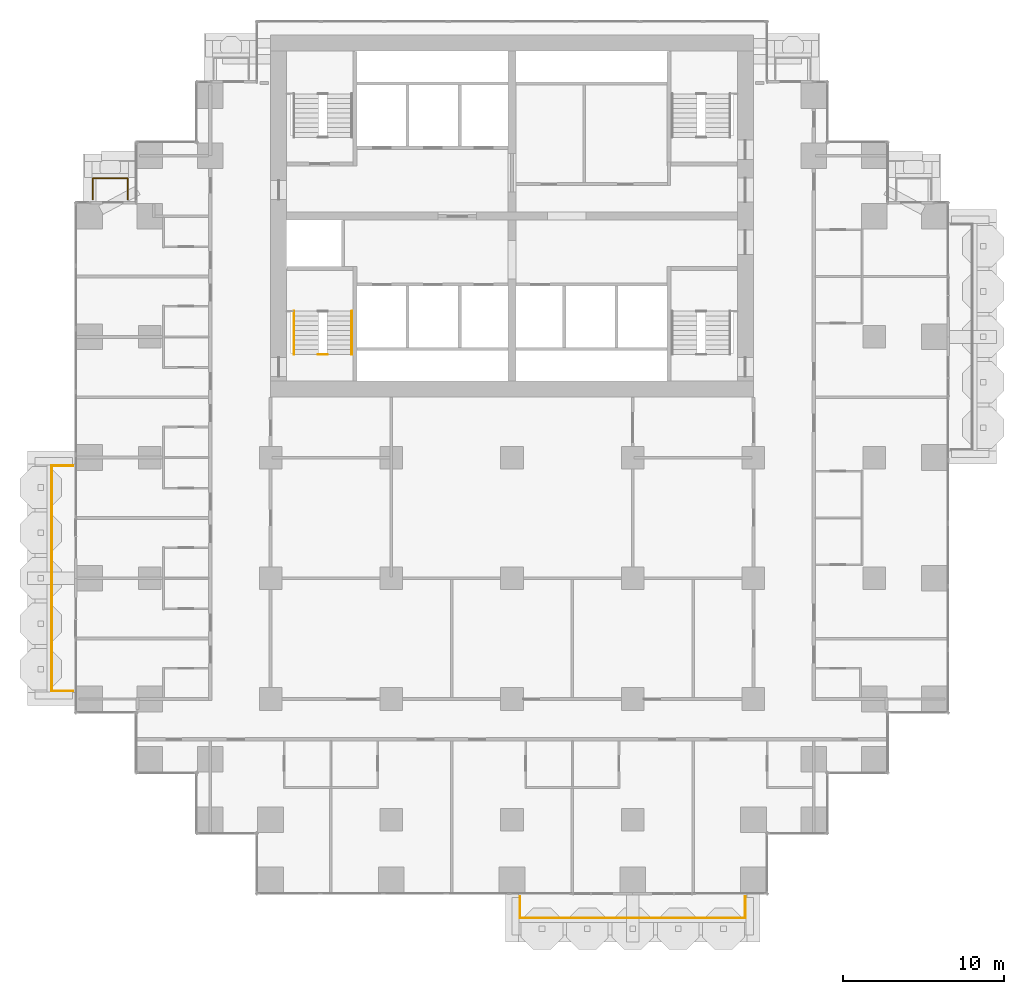
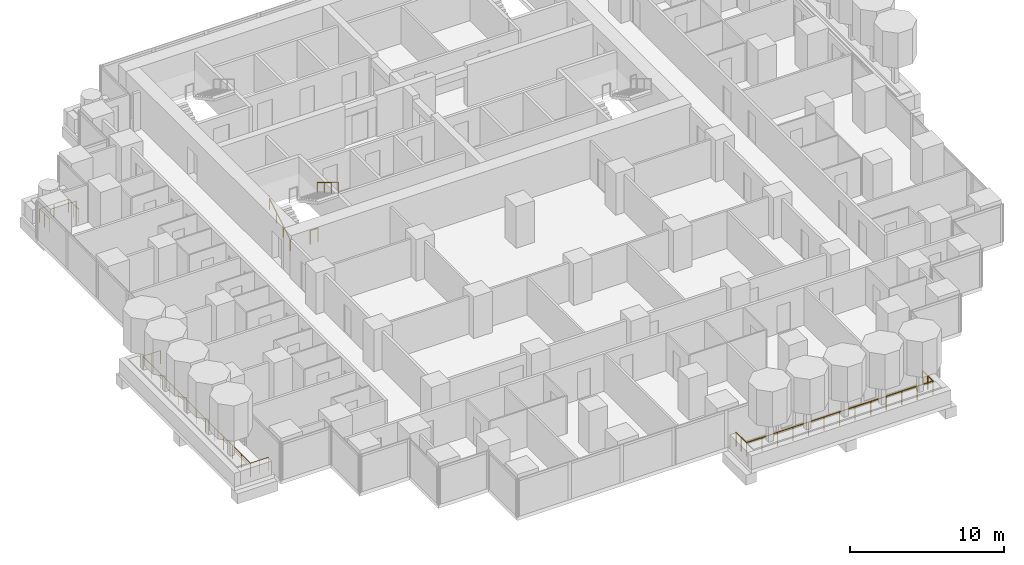
# One storey, part 16 of 18: 6 railings.
"""IFC4 building model written with IfcOpenShell, lengths in metres."""

from ifc_helpers import new_model, si_unit, direction, frame, origin, origin_2d, place, context, subcontext, project, spatial, circle, extrude, material, type_object, element, save


model = new_model("IFC4")

# Units and contexts
model_context = context("Model", 3, precision=1e-05, world=origin(), true_north=direction((0.0, 1.0)))
body_context = subcontext(model_context, "Body", "Model", "MODEL_VIEW")
ifc_project = project(units=[si_unit("LENGTHUNIT", "METRE"), si_unit("AREAUNIT", "SQUARE_METRE"), si_unit("VOLUMEUNIT", "CUBIC_METRE"), si_unit("PLANEANGLEUNIT", "RADIAN"), si_unit("MASSUNIT", "GRAM", prefix="KILO")], contexts=[model_context])

# Site, building, storey
site_placement = place(None, origin())
site = spatial("IfcSite", under=ifc_project, at=site_placement, CompositionType="ELEMENT")
building_placement = place(site_placement, origin())
building = spatial("IfcBuilding", under=site, at=building_placement, Name="Pilkhan Gate Tower", CompositionType="ELEMENT")
storey_placement = place(building_placement, frame((0.0, 0.0, 52.699951171875)))
storey = spatial("IfcBuildingStorey", under=building, at=storey_placement, Name="L10", CompositionType="ELEMENT", Elevation=52.699951171875)

# Railings
ifc_material_1 = material(Name="Pale anodised aluminium posts, laminated glass infill", Category="aluminium")
railing_type_1 = type_object("IfcRailingType", Name="Balcony guard G1", PredefinedType="BALUSTRADE", material=ifc_material_1)
railing_1_placement = place(storey_placement, frame((75.5, 40.22998046875, 0.0)))
element("IfcRailing", 1, at=railing_1_placement, inside=storey, type_object=railing_type_1, Name="Balcony guard L10 S", PredefinedType="BALUSTRADE", context=body_context, shape_type="SweptSolid", body=[
    extrude(circle(Radius=0.02392578125, at=origin_2d()), frame((0.0, 0.0, 1.076171875), z_axis=(0.0, -1.0, 0.0), x_axis=(1.0, 0.0, 0.0)), (0.0, 0.0, 1.0), 1.330078125),
    extrude(circle(Radius=0.02392578125, at=origin_2d()), frame((0.0, -1.330078125, 1.076171875), z_axis=(1.0, 0.0, 0.0), x_axis=(0.0, 1.0, 0.0)), (0.0, 0.0, 1.0), 14.0),
    extrude(circle(Radius=0.02392578125, at=origin_2d()), frame((14.0, -1.330078125, 1.076171875), z_axis=(0.0, 1.0, 0.0), x_axis=(-1.0, 0.0, 0.0)), (0.0, 0.0, 1.0), 1.330078125),
    extrude(circle(Radius=0.02099609375, at=origin_2d()), origin(), (0.0, 0.0, 1.0), 1.052001953125),
    extrude(circle(Radius=0.02099609375, at=origin_2d()), frame((0.0, -0.6650390625, 0.0)), (0.0, 0.0, 1.0), 1.052001953125),
    extrude(circle(Radius=0.02099609375, at=origin_2d()), frame((0.0, -1.330078125, 0.0)), (0.0, 0.0, 1.0), 1.052001953125),
    extrude(circle(Radius=0.02099609375, at=origin_2d()), frame((1.166748046875, -1.330078125, 0.0)), (0.0, 0.0, 1.0), 1.052001953125),
    extrude(circle(Radius=0.02099609375, at=origin_2d()), frame((2.333251953125, -1.330078125, 0.0)), (0.0, 0.0, 1.0), 1.052001953125),
    extrude(circle(Radius=0.02099609375, at=origin_2d()), frame((3.5, -1.330078125, 0.0)), (0.0, 0.0, 1.0), 1.052001953125),
    extrude(circle(Radius=0.02099609375, at=origin_2d()), frame((4.666748046875, -1.330078125, 0.0)), (0.0, 0.0, 1.0), 1.052001953125),
    extrude(circle(Radius=0.02099609375, at=origin_2d()), frame((5.833251953125, -1.330078125, 0.0)), (0.0, 0.0, 1.0), 1.052001953125),
    extrude(circle(Radius=0.02099609375, at=origin_2d()), frame((7.0, -1.330078125, 0.0)), (0.0, 0.0, 1.0), 1.052001953125),
    extrude(circle(Radius=0.02099609375, at=origin_2d()), frame((8.166748046875, -1.330078125, 0.0)), (0.0, 0.0, 1.0), 1.052001953125),
    extrude(circle(Radius=0.02099609375, at=origin_2d()), frame((9.333251953125, -1.330078125, 0.0)), (0.0, 0.0, 1.0), 1.052001953125),
    extrude(circle(Radius=0.02099609375, at=origin_2d()), frame((10.5, -1.330078125, 0.0)), (0.0, 0.0, 1.0), 1.052001953125),
    extrude(circle(Radius=0.02099609375, at=origin_2d()), frame((11.666748046875, -1.330078125, 0.0)), (0.0, 0.0, 1.0), 1.052001953125),
    extrude(circle(Radius=0.02099609375, at=origin_2d()), frame((12.833251953125, -1.330078125, 0.0)), (0.0, 0.0, 1.0), 1.052001953125),
    extrude(circle(Radius=0.02099609375, at=origin_2d()), frame((14.0, -1.330078125, 0.0)), (0.0, 0.0, 1.0), 1.052001953125),
    extrude(circle(Radius=0.02099609375, at=origin_2d()), frame((14.0, -0.6650390625, 0.0)), (0.0, 0.0, 1.0), 1.052001953125),
    extrude(circle(Radius=0.02099609375, at=origin_2d()), frame((14.0, 0.0, 0.0)), (0.0, 0.0, 1.0), 1.052001953125),
])
railing_2_placement = place(storey_placement, frame((48.949951171875, 83.5400390625, 0.0)))
element("IfcRailing", 2, at=railing_2_placement, inside=storey, type_object=railing_type_1, Name="Balcony guard L10 N", PredefinedType="BALUSTRADE", context=body_context, shape_type="SweptSolid", body=[
    extrude(circle(Radius=0.02392578125, at=origin_2d()), frame((0.0, 0.0, 1.076171875), z_axis=(0.0, 1.0, 0.0), x_axis=(-1.0, 0.0, 0.0)), (0.0, 0.0, 1.0), 1.31005859375),
    extrude(circle(Radius=0.02392578125, at=origin_2d()), frame((0.0, 1.31005859375, 1.076171875), z_axis=(1.0, 0.0, 0.0), x_axis=(0.0, 1.0, 0.0)), (0.0, 0.0, 1.0), 2.179931640625),
    extrude(circle(Radius=0.02392578125, at=origin_2d()), frame((2.179931640625, 1.31005859375, 1.076171875), z_axis=(0.0, -1.0, 0.0), x_axis=(1.0, 0.0, 0.0)), (0.0, 0.0, 1.0), 1.31005859375),
    extrude(circle(Radius=0.02099609375, at=origin_2d()), origin(), (0.0, 0.0, 1.0), 1.052001953125),
    extrude(circle(Radius=0.02099609375, at=origin_2d()), frame((0.0, 0.655029296875, 0.0)), (0.0, 0.0, 1.0), 1.052001953125),
    extrude(circle(Radius=0.02099609375, at=origin_2d()), frame((0.0, 1.31005859375, 0.0)), (0.0, 0.0, 1.0), 1.052001953125),
    extrude(circle(Radius=0.02099609375, at=origin_2d()), frame((1.08984375, 1.31005859375, 0.0)), (0.0, 0.0, 1.0), 1.052001953125),
    extrude(circle(Radius=0.02099609375, at=origin_2d()), frame((2.179931640625, 1.31005859375, 0.0)), (0.0, 0.0, 1.0), 1.052001953125),
    extrude(circle(Radius=0.02099609375, at=origin_2d()), frame((2.179931640625, 0.655029296875, 0.0)), (0.0, 0.0, 1.0), 1.052001953125),
    extrude(circle(Radius=0.02099609375, at=origin_2d()), frame((2.179931640625, 0.0, 0.0)), (0.0, 0.0, 1.0), 1.052001953125),
])
railing_3_placement = place(storey_placement, frame((47.72998046875, 53.0, 0.0)))
element("IfcRailing", 3, at=railing_3_placement, inside=storey, type_object=railing_type_1, Name="Balcony guard L10 W", PredefinedType="BALUSTRADE", context=body_context, shape_type="SweptSolid", body=[
    extrude(circle(Radius=0.02392578125, at=origin_2d()), frame((0.0, 0.0, 1.076171875), z_axis=(-1.0, 0.0, 0.0), x_axis=(0.0, -1.0, 0.0)), (0.0, 0.0, 1.0), 1.330078125),
    extrude(circle(Radius=0.02392578125, at=origin_2d()), frame((-1.330078125, 0.0, 1.076171875), z_axis=(0.0, 1.0, 0.0), x_axis=(-1.0, 0.0, 0.0)), (0.0, 0.0, 1.0), 14.0),
    extrude(circle(Radius=0.02392578125, at=origin_2d()), frame((-1.330078125, 14.0, 1.076171875), z_axis=(1.0, 0.0, 0.0), x_axis=(0.0, 1.0, 0.0)), (0.0, 0.0, 1.0), 1.330078125),
    extrude(circle(Radius=0.02099609375, at=origin_2d()), origin(), (0.0, 0.0, 1.0), 1.052001953125),
    extrude(circle(Radius=0.02099609375, at=origin_2d()), frame((-0.6650390625, 0.0, 0.0)), (0.0, 0.0, 1.0), 1.052001953125),
    extrude(circle(Radius=0.02099609375, at=origin_2d()), frame((-1.330078125, 0.0, 0.0)), (0.0, 0.0, 1.0), 1.052001953125),
    extrude(circle(Radius=0.02099609375, at=origin_2d()), frame((-1.330078125, 1.166748046875, 0.0)), (0.0, 0.0, 1.0), 1.052001953125),
    extrude(circle(Radius=0.02099609375, at=origin_2d()), frame((-1.330078125, 2.333251953125, 0.0)), (0.0, 0.0, 1.0), 1.052001953125),
    extrude(circle(Radius=0.02099609375, at=origin_2d()), frame((-1.330078125, 3.5, 0.0)), (0.0, 0.0, 1.0), 1.052001953125),
    extrude(circle(Radius=0.02099609375, at=origin_2d()), frame((-1.330078125, 4.666748046875, 0.0)), (0.0, 0.0, 1.0), 1.052001953125),
    extrude(circle(Radius=0.02099609375, at=origin_2d()), frame((-1.330078125, 5.833251953125, 0.0)), (0.0, 0.0, 1.0), 1.052001953125),
    extrude(circle(Radius=0.02099609375, at=origin_2d()), frame((-1.330078125, 7.0, 0.0)), (0.0, 0.0, 1.0), 1.052001953125),
    extrude(circle(Radius=0.02099609375, at=origin_2d()), frame((-1.330078125, 8.166748046875, 0.0)), (0.0, 0.0, 1.0), 1.052001953125),
    extrude(circle(Radius=0.02099609375, at=origin_2d()), frame((-1.330078125, 9.333251953125, 0.0)), (0.0, 0.0, 1.0), 1.052001953125),
    extrude(circle(Radius=0.02099609375, at=origin_2d()), frame((-1.330078125, 10.5, 0.0)), (0.0, 0.0, 1.0), 1.052001953125),
    extrude(circle(Radius=0.02099609375, at=origin_2d()), frame((-1.330078125, 11.666748046875, 0.0)), (0.0, 0.0, 1.0), 1.052001953125),
    extrude(circle(Radius=0.02099609375, at=origin_2d()), frame((-1.330078125, 12.833251953125, 0.0)), (0.0, 0.0, 1.0), 1.052001953125),
    extrude(circle(Radius=0.02099609375, at=origin_2d()), frame((-1.330078125, 14.0, 0.0)), (0.0, 0.0, 1.0), 1.052001953125),
    extrude(circle(Radius=0.02099609375, at=origin_2d()), frame((-0.6650390625, 14.0, 0.0)), (0.0, 0.0, 1.0), 1.052001953125),
    extrude(circle(Radius=0.02099609375, at=origin_2d()), frame((0.0, 14.0, 0.0)), (0.0, 0.0, 1.0), 1.052001953125),
])
ifc_material_2 = material(Name="Black powder-coated steel tube", Category="steel")
railing_type_2 = type_object("IfcRailingType", Name="Stair handrail HR1", PredefinedType="HANDRAIL", material=ifc_material_2)
railing_4_placement = place(storey_placement, frame((61.449951171875, 73.89990234375, 0.0)))
element("IfcRailing", 4, at=railing_4_placement, inside=storey, type_object=railing_type_2, Name="Stair ST2 handrail L10", PredefinedType="HANDRAIL", context=body_context, shape_type="SweptSolid", body=[
    extrude(circle(Radius=0.02392578125, at=origin_2d()), frame((0.0, 0.0, 0.8759765625), z_axis=(0.0, 0.853278019476, 0.521456250781), x_axis=(-1.0, 0.0, 0.0)), (0.0, 0.0, 1.0), 3.16455078125),
    extrude(circle(Radius=0.02099609375, at=origin_2d()), origin(), (0.0, 0.0, 1.0), 0.851806640625),
    extrude(circle(Radius=0.02099609375, at=origin_2d()), frame((0.0, 0.900146484375, 0.550048828125)), (0.0, 0.0, 1.0), 0.851806640625),
    extrude(circle(Radius=0.02099609375, at=origin_2d()), frame((0.0, 1.800048828125, 1.10009765625)), (0.0, 0.0, 1.0), 0.851806640625),
    extrude(circle(Radius=0.02099609375, at=origin_2d()), frame((0.0, 2.7001953125, 1.650146484375)), (0.0, 0.0, 1.0), 0.851806640625),
])
railing_5_placement = place(storey_placement, frame((65.050048828125, 76.60009765625, 1.650146484375)))
element("IfcRailing", 5, at=railing_5_placement, inside=storey, type_object=railing_type_2, Name="Stair ST2 handrail L10", PredefinedType="HANDRAIL", context=body_context, shape_type="SweptSolid", body=[
    extrude(circle(Radius=0.02392578125, at=origin_2d()), frame((0.0, 0.0, 0.8759765625), z_axis=(0.0, -0.853312346642, 0.521400075823), x_axis=(1.0, 0.0, 0.0)), (0.0, 0.0, 1.0), 3.164306640625),
    extrude(circle(Radius=0.02099609375, at=origin_2d()), origin(), (0.0, 0.0, 1.0), 0.851806640625),
    extrude(circle(Radius=0.02099609375, at=origin_2d()), frame((0.0, -0.900146484375, 0.550048828125)), (0.0, 0.0, 1.0), 0.851806640625),
    extrude(circle(Radius=0.02099609375, at=origin_2d()), frame((0.0, -1.800048828125, 1.099853515625)), (0.0, 0.0, 1.0), 0.851806640625),
    extrude(circle(Radius=0.02099609375, at=origin_2d()), frame((0.0, -2.7001953125, 1.64990234375)), (0.0, 0.0, 1.0), 0.851806640625),
])
ifc_material_3 = material(Name="Black powder-coated steel balusters", Category="steel")
railing_type_3 = type_object("IfcRailingType", Name="Stair well guard G3", PredefinedType="GUARDRAIL", material=ifc_material_3)
railing_6_placement = place(storey_placement, frame((62.9599609375, 73.89990234375, 0.0)))
element("IfcRailing", 6, at=railing_6_placement, inside=storey, type_object=railing_type_3, Name="Stair ST2 well guard L10", PredefinedType="GUARDRAIL", context=body_context, shape_type="SweptSolid", body=[
    extrude(circle(Radius=0.02392578125, at=origin_2d()), frame((0.0, 0.0, 1.076171875), z_axis=(1.0, 0.0, 0.0), x_axis=(0.0, 1.0, 0.0)), (0.0, 0.0, 1.0), 0.580078125),
    extrude(circle(Radius=0.02099609375, at=origin_2d()), origin(), (0.0, 0.0, 1.0), 1.052001953125),
    extrude(circle(Radius=0.02099609375, at=origin_2d()), frame((0.580078125, 0.0, 0.0)), (0.0, 0.0, 1.0), 1.052001953125),
])

save(model, "model.ifc")
